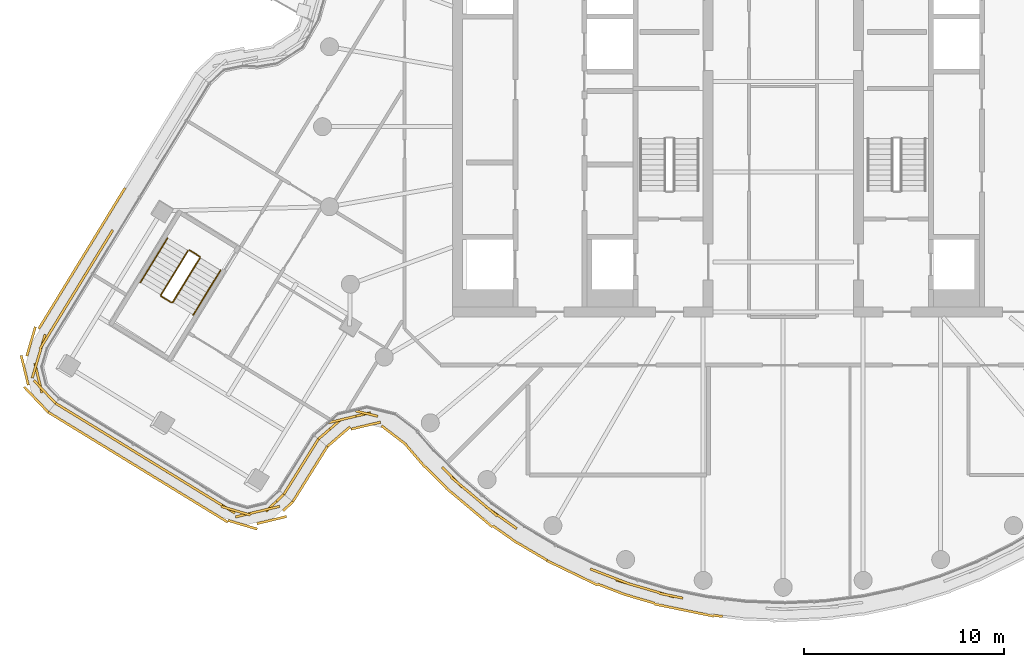
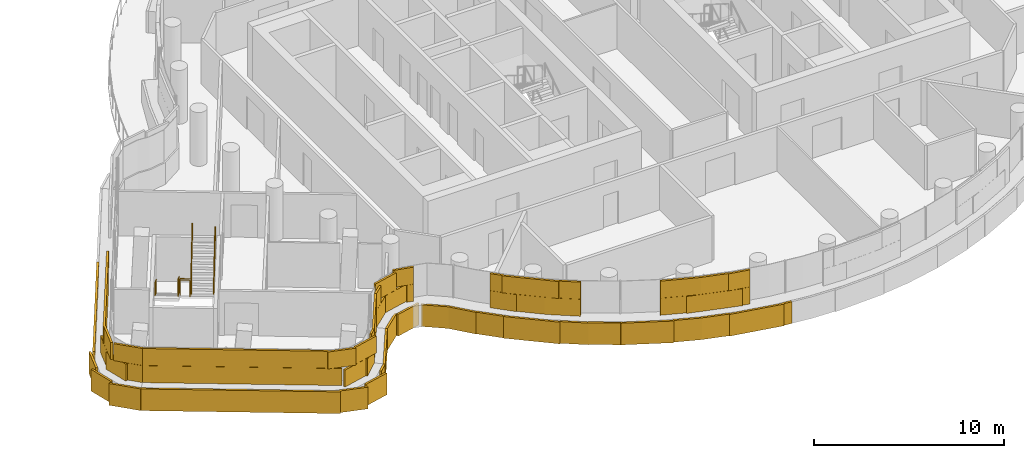
# One storey, part 22 of 27: 6 railings, 5 coverings.
"""IFC4 building model written with IfcOpenShell, lengths in metres."""

from ifc_helpers import new_model, si_unit, direction, frame, origin, origin_2d, place, context, subcontext, project, spatial, rectangle, circle, extrude, material, layer, layer_set, type_object, element, save


model = new_model("IFC4")

# Units and contexts
model_context = context("Model", 3, precision=1e-05, world=origin(), true_north=direction((0.0, 1.0)))
body_context = subcontext(model_context, "Body", "Model", "MODEL_VIEW")
ifc_project = project(units=[si_unit("LENGTHUNIT", "METRE"), si_unit("AREAUNIT", "SQUARE_METRE"), si_unit("VOLUMEUNIT", "CUBIC_METRE"), si_unit("PLANEANGLEUNIT", "RADIAN"), si_unit("MASSUNIT", "GRAM", prefix="KILO")], contexts=[model_context])

# Site, building, storey
site_placement = place(None, origin())
site = spatial("IfcSite", under=ifc_project, at=site_placement, CompositionType="ELEMENT")
building_placement = place(site_placement, origin())
building = spatial("IfcBuilding", under=site, at=building_placement, Name="Tamarind Cross Interchange Tower", CompositionType="ELEMENT")
storey_placement = place(building_placement, frame((0.0, 0.0, 245.10009765625)))
storey = spatial("IfcBuildingStorey", under=building, at=storey_placement, Name="L62", CompositionType="ELEMENT", Elevation=245.10009765625)

# Railings
ifc_material_1 = material(Name="Stair guard")
railing_type_1 = type_object("IfcRailingType", Name="Stair guard", PredefinedType="GUARDRAIL", material=ifc_material_1)
railing_1_placement = place(storey_placement, frame((-29.714599609375, -6.180419921875, 0.16357421875)))
element("IfcRailing", 1, at=railing_1_placement, inside=storey, type_object=railing_type_1, Name="L62 ST5 stair guard 1", PredefinedType="GUARDRAIL", context=body_context, shape_type="SweptSolid", body=[
    extrude(circle(Radius=0.02392578125, at=origin_2d()), frame((0.0, 0.0, 1.076171875), z_axis=(-0.44210938994, -0.721696093843, 0.532629360305), x_axis=(0.852717293901, -0.522372679878, 0.0)), (0.0, 0.0, 1.0), 3.072021484375),
    extrude(circle(Radius=0.02099609375, at=origin_2d()), origin(), (0.0, 0.0, 1.0), 1.052001953125),
    extrude(circle(Radius=0.02099609375, at=origin_2d()), frame((-0.45263671875, -0.739013671875, 0.54541015625)), (0.0, 0.0, 1.0), 1.052001953125),
    extrude(circle(Radius=0.02099609375, at=origin_2d()), frame((-0.905517578125, -1.47802734375, 1.0908203125)), (0.0, 0.0, 1.0), 1.052001953125),
    extrude(circle(Radius=0.02099609375, at=origin_2d()), frame((-1.358154296875, -2.217041015625, 1.63623046875)), (0.0, 0.0, 1.0), 1.052001953125),
])
railing_2_placement = place(storey_placement, frame((-31.05615234375, -8.46630859375, 1.7998046875)))
element("IfcRailing", 2, at=railing_2_placement, inside=storey, type_object=railing_type_1, Name="L62 ST5 stair guard 2", PredefinedType="GUARDRAIL", context=body_context, shape_type="SweptSolid", body=[
    extrude(circle(Radius=0.02392578125, at=origin_2d()), frame((0.0, 0.0, 1.076171875), z_axis=(0.852788407844, -0.52225657626, 0.0), x_axis=(0.52225657626, 0.852788407844, 0.0)), (0.0, 0.0, 1.0), 0.599853515625),
    extrude(circle(Radius=0.02099609375, at=origin_2d()), origin(), (0.0, 0.0, 1.0), 1.052001953125),
    extrude(circle(Radius=0.02099609375, at=origin_2d()), frame((0.511474609375, -0.313232421875, 0.0)), (0.0, 0.0, 1.0), 1.052001953125),
])
railing_3_placement = place(storey_placement, frame((-30.475830078125, -8.76318359375, 1.963623046875)))
element("IfcRailing", 3, at=railing_3_placement, inside=storey, type_object=railing_type_1, Name="L62 ST5 stair guard 3", PredefinedType="GUARDRAIL", context=body_context, shape_type="SweptSolid", body=[
    extrude(circle(Radius=0.02392578125, at=origin_2d()), frame((0.0, 0.0, 1.076171875), z_axis=(0.44210938994, 0.721696093843, 0.532629360305), x_axis=(-0.852717293901, 0.522372679878, 0.0)), (0.0, 0.0, 1.0), 3.072021484375),
    extrude(circle(Radius=0.02099609375, at=origin_2d()), origin(), (0.0, 0.0, 1.0), 1.052001953125),
    extrude(circle(Radius=0.02099609375, at=origin_2d()), frame((0.45263671875, 0.739013671875, 0.54541015625)), (0.0, 0.0, 1.0), 1.052001953125),
    extrude(circle(Radius=0.02099609375, at=origin_2d()), frame((0.905517578125, 1.47802734375, 1.0908203125)), (0.0, 0.0, 1.0), 1.052001953125),
    extrude(circle(Radius=0.02099609375, at=origin_2d()), frame((1.358154296875, 2.217041015625, 1.63623046875)), (0.0, 0.0, 1.0), 1.052001953125),
])
railing_4_placement = place(storey_placement, frame((-29.64599609375, -6.163818359375, 0.0)))
element("IfcRailing", 4, at=railing_4_placement, inside=storey, type_object=railing_type_1, Name="L62 ST5 stair guard 4", PredefinedType="GUARDRAIL", context=body_context, shape_type="SweptSolid", body=[
    extrude(circle(Radius=0.02392578125, at=origin_2d()), frame((0.0, 0.0, 1.076171875), z_axis=(0.852718171949, -0.522371246556, 0.0), x_axis=(0.522371246556, 0.852718171949, 0.0)), (0.0, 0.0, 1.0), 0.60009765625),
    extrude(circle(Radius=0.02099609375, at=origin_2d()), origin(), (0.0, 0.0, 1.0), 1.052001953125),
    extrude(circle(Radius=0.02099609375, at=origin_2d()), frame((0.51171875, -0.3134765625, 0.0)), (0.0, 0.0, 1.0), 1.052001953125),
])
ifc_material_2 = material(Name="Stair handrail")
railing_type_2 = type_object("IfcRailingType", Name="Stair handrail", PredefinedType="HANDRAIL", material=ifc_material_2)
railing_5_placement = place(storey_placement, frame((-30.73779296875, -5.553466796875, 0.16357421875)))
element("IfcRailing", 5, at=railing_5_placement, inside=storey, type_object=railing_type_2, Name="L62 ST5 stair handrail 1", PredefinedType="HANDRAIL", context=body_context, shape_type="SweptSolid", body=[
    extrude(circle(Radius=0.02392578125, at=origin_2d()), frame((0.0, 0.0, 0.8759765625), z_axis=(-0.44210938994, -0.721696093843, 0.532629360305), x_axis=(0.852717293901, -0.522372679878, 0.0)), (0.0, 0.0, 1.0), 3.072021484375),
    extrude(circle(Radius=0.02099609375, at=origin_2d()), origin(), (0.0, 0.0, 1.0), 0.851806640625),
    extrude(circle(Radius=0.02099609375, at=origin_2d()), frame((-0.45263671875, -0.739013671875, 0.54541015625)), (0.0, 0.0, 1.0), 0.851806640625),
    extrude(circle(Radius=0.02099609375, at=origin_2d()), frame((-0.905517578125, -1.47802734375, 1.0908203125)), (0.0, 0.0, 1.0), 0.851806640625),
    extrude(circle(Radius=0.02099609375, at=origin_2d()), frame((-1.358154296875, -2.217041015625, 1.63623046875)), (0.0, 0.0, 1.0), 0.851806640625),
])
railing_6_placement = place(storey_placement, frame((-29.45263671875, -9.389892578125, 1.963623046875)))
element("IfcRailing", 6, at=railing_6_placement, inside=storey, type_object=railing_type_2, Name="L62 ST5 stair handrail 2", PredefinedType="HANDRAIL", context=body_context, shape_type="SweptSolid", body=[
    extrude(circle(Radius=0.02392578125, at=origin_2d()), frame((0.0, 0.0, 0.8759765625), z_axis=(0.44210938994, 0.721696093843, 0.532629360305), x_axis=(-0.852717293901, 0.522372679878, 0.0)), (0.0, 0.0, 1.0), 3.072021484375),
    extrude(circle(Radius=0.02099609375, at=origin_2d()), origin(), (0.0, 0.0, 1.0), 0.851806640625),
    extrude(circle(Radius=0.02099609375, at=origin_2d()), frame((0.45263671875, 0.739013671875, 0.54541015625)), (0.0, 0.0, 1.0), 0.851806640625),
    extrude(circle(Radius=0.02099609375, at=origin_2d()), frame((0.905517578125, 1.47802734375, 1.0908203125)), (0.0, 0.0, 1.0), 0.851806640625),
    extrude(circle(Radius=0.02099609375, at=origin_2d()), frame((1.358154296875, 2.217041015625, 1.63623046875)), (0.0, 0.0, 1.0), 0.851806640625),
])

# Coverings
ifc_material_3 = material(Name="Terracotta", Category="masonry")
ifc_layer = layer(ifc_material_3, 0.1201171875)
ifc_layer_set = layer_set([ifc_layer], Name="Terracotta")
covering_type = type_object("IfcCoveringType", Name="Terracotta baguette screen unit", PredefinedType="MOLDING", material=ifc_layer_set)
covering_1_placement = place(storey_placement, origin())
element("IfcCovering", 7, at=covering_1_placement, inside=storey, type_object=covering_type, Name="SCR-L62-03-01", PredefinedType="MOLDING", context=body_context, shape_type="SweptSolid", body=[
    extrude(rectangle(XDim=1.52001953125, YDim=0.1201171875, at=origin_2d()), frame((-33.97119140625, -5.96923828125, 1.40380859375), z_axis=(0.0, 0.0, 1.0), x_axis=(-0.522367602426, -0.852720404316, 0.0)), (0.0, 0.0, 1.0), 1.092041015625),
    extrude(rectangle(XDim=1.52001953125, YDim=0.1201171875, at=origin_2d()), frame((-34.7548828125, -7.248291015625, 1.40380859375), z_axis=(0.0, 0.0, 1.0), x_axis=(-0.522367602426, -0.852720404316, 0.0)), (0.0, 0.0, 1.0), 1.092041015625),
    extrude(rectangle(XDim=1.52001953125, YDim=0.1201171875, at=origin_2d()), frame((-35.538330078125, -8.52734375, 1.40380859375), z_axis=(0.0, 0.0, 1.0), x_axis=(-0.522367602426, -0.852720404316, 0.0)), (0.0, 0.0, 1.0), 1.092041015625),
    extrude(rectangle(XDim=1.52001953125, YDim=0.1201171875, at=origin_2d()), frame((-36.322021484375, -9.806396484375, 1.40380859375), z_axis=(0.0, 0.0, 1.0), x_axis=(-0.522367602426, -0.852720404316, 0.0)), (0.0, 0.0, 1.0), 1.092041015625),
    extrude(rectangle(XDim=1.52001953125, YDim=0.1201171875, at=origin_2d()), frame((-37.066650390625, -11.102783203125, 1.40380859375), z_axis=(0.0, 0.0, 1.0), x_axis=(-0.283868077215, -0.958863345184, 0.0)), (0.0, 0.0, 1.0), 1.092041015625),
    extrude(rectangle(XDim=1.52001953125, YDim=0.1201171875, at=origin_2d()), frame((-37.18603515625, -12.549072265625, 1.40380859375), z_axis=(0.0, 0.0, 1.0), x_axis=(0.2335947064, -0.972334054295, 0.0)), (0.0, 0.0, 1.0), 1.092041015625),
    extrude(rectangle(XDim=0.82275390625, YDim=0.1201171875, at=origin_2d()), frame((-36.613525390625, -13.50927734375, 1.40380859375), z_axis=(0.0, 0.0, 1.0), x_axis=(0.68846597708, -0.725268638784, 0.0)), (0.0, 0.0, 1.0), 1.092041015625),
    extrude(rectangle(XDim=0.95556640625, YDim=0.1201171875, at=origin_2d()), frame((-33.724365234375, -5.566162109375, 2.50390625), z_axis=(0.0, 0.0, 1.0), x_axis=(-0.522367602426, -0.852720404316, 0.0)), (0.0, 0.0, 1.0), 1.092041015625),
    extrude(rectangle(XDim=1.52001953125, YDim=0.1201171875, at=origin_2d()), frame((-34.363037109375, -6.60888671875, 2.50390625), z_axis=(0.0, 0.0, 1.0), x_axis=(-0.522367602426, -0.852720404316, 0.0)), (0.0, 0.0, 1.0), 1.092041015625),
    extrude(rectangle(XDim=1.52001953125, YDim=0.1201171875, at=origin_2d()), frame((-35.146484375, -7.887939453125, 2.50390625), z_axis=(0.0, 0.0, 1.0), x_axis=(-0.522367602426, -0.852720404316, 0.0)), (0.0, 0.0, 1.0), 1.092041015625),
    extrude(rectangle(XDim=1.52001953125, YDim=0.1201171875, at=origin_2d()), frame((-35.93017578125, -9.1669921875, 2.50390625), z_axis=(0.0, 0.0, 1.0), x_axis=(-0.522367602426, -0.852720404316, 0.0)), (0.0, 0.0, 1.0), 1.092041015625),
    extrude(rectangle(XDim=1.52001953125, YDim=0.1201171875, at=origin_2d()), frame((-36.713623046875, -10.446044921875, 2.50390625), z_axis=(0.0, 0.0, 1.0), x_axis=(-0.522367602426, -0.852720404316, 0.0)), (0.0, 0.0, 1.0), 1.092041015625),
    extrude(rectangle(XDim=1.52001953125, YDim=0.1201171875, at=origin_2d()), frame((-37.279541015625, -11.822021484375, 2.50390625), z_axis=(0.0, 0.0, 1.0), x_axis=(-0.283868077215, -0.958863345184, 0.0)), (0.0, 0.0, 1.0), 1.092041015625),
    extrude(rectangle(XDim=1.52001953125, YDim=0.1201171875, at=origin_2d()), frame((-36.893310546875, -13.214599609375, 2.50390625), z_axis=(0.0, 0.0, 1.0), x_axis=(0.68846597708, -0.725268638784, 0.0)), (0.0, 0.0, 1.0), 1.092041015625),
    extrude(rectangle(XDim=0.07275390625, YDim=0.1201171875, at=origin_2d()), frame((-36.355224609375, -13.78125, 2.50390625), z_axis=(0.0, 0.0, 1.0), x_axis=(0.68846597708, -0.725268638784, 0.0)), (0.0, 0.0, 1.0), 1.092041015625),
    extrude(rectangle(XDim=0.739013671875, YDim=0.1201171875, at=origin_2d()), frame((-33.056396484375, -3.376953125, 0.00390625), z_axis=(0.0, 0.0, 1.0), x_axis=(-0.522367602426, -0.852720404316, 0.0)), (0.0, 0.0, 1.0), 1.39208984375),
    extrude(rectangle(XDim=1.52001953125, YDim=0.1201171875, at=origin_2d()), frame((-33.635986328125, -4.322998046875, 0.00390625), z_axis=(0.0, 0.0, 1.0), x_axis=(-0.522367602426, -0.852720404316, 0.0)), (0.0, 0.0, 1.0), 1.39208984375),
    extrude(rectangle(XDim=1.52001953125, YDim=0.1201171875, at=origin_2d()), frame((-34.41943359375, -5.60205078125, 0.00390625), z_axis=(0.0, 0.0, 1.0), x_axis=(-0.522367602426, -0.852720404316, 0.0)), (0.0, 0.0, 1.0), 1.39208984375),
    extrude(rectangle(XDim=1.52001953125, YDim=0.1201171875, at=origin_2d()), frame((-35.203125, -6.88134765625, 0.00390625), z_axis=(0.0, 0.0, 1.0), x_axis=(-0.522367602426, -0.852720404316, 0.0)), (0.0, 0.0, 1.0), 1.39208984375),
    extrude(rectangle(XDim=1.52001953125, YDim=0.1201171875, at=origin_2d()), frame((-35.986572265625, -8.160400390625, 0.00390625), z_axis=(0.0, 0.0, 1.0), x_axis=(-0.522367602426, -0.852720404316, 0.0)), (0.0, 0.0, 1.0), 1.39208984375),
    extrude(rectangle(XDim=1.52001953125, YDim=0.1201171875, at=origin_2d()), frame((-36.770263671875, -9.439453125, 0.00390625), z_axis=(0.0, 0.0, 1.0), x_axis=(-0.522367602426, -0.852720404316, 0.0)), (0.0, 0.0, 1.0), 1.39208984375),
    extrude(rectangle(XDim=1.52001953125, YDim=0.1201171875, at=origin_2d()), frame((-37.551513671875, -10.719482421875, 0.00390625), z_axis=(0.0, 0.0, 1.0), x_axis=(-0.283868077215, -0.958863345184, 0.0)), (0.0, 0.0, 1.0), 1.39208984375),
    extrude(rectangle(XDim=1.52001953125, YDim=0.1201171875, at=origin_2d()), frame((-37.86962890625, -12.160400390625, 0.00390625), z_axis=(0.0, 0.0, 1.0), x_axis=(0.2335947064, -0.972334054295, 0.0)), (0.0, 0.0, 1.0), 1.39208984375),
    extrude(rectangle(XDim=1.52001953125, YDim=0.1201171875, at=origin_2d()), frame((-37.375, -13.540771484375, 0.00390625), z_axis=(0.0, 0.0, 1.0), x_axis=(0.68846597708, -0.725268638784, 0.0)), (0.0, 0.0, 1.0), 1.39208984375),
    extrude(rectangle(XDim=0.24365234375, YDim=0.1201171875, at=origin_2d()), frame((-36.78173828125, -14.165771484375, 0.00390625), z_axis=(0.0, 0.0, 1.0), x_axis=(0.68846597708, -0.725268638784, 0.0)), (0.0, 0.0, 1.0), 1.39208984375),
])
covering_2_placement = place(storey_placement, origin())
element("IfcCovering", 8, at=covering_2_placement, inside=storey, type_object=covering_type, Name="SCR-L62-04-00", PredefinedType="MOLDING", context=body_context, shape_type="SweptSolid", body=[
    extrude(rectangle(XDim=1.510009765625, YDim=0.1201171875, at=origin_2d()), frame((-35.694091796875, -14.19580078125, 1.40380859375), z_axis=(0.0, 0.0, 1.0), x_axis=(0.852720404316, -0.522367602426, 0.0)), (0.0, 0.0, 1.0), 1.092041015625),
    extrude(rectangle(XDim=1.52001953125, YDim=0.1201171875, at=origin_2d()), frame((-34.4150390625, -14.979248046875, 1.40380859375), z_axis=(0.0, 0.0, 1.0), x_axis=(0.852720404316, -0.522367602426, 0.0)), (0.0, 0.0, 1.0), 1.092041015625),
    extrude(rectangle(XDim=1.52001953125, YDim=0.1201171875, at=origin_2d()), frame((-33.135986328125, -15.762939453125, 1.40380859375), z_axis=(0.0, 0.0, 1.0), x_axis=(0.852720404316, -0.522367602426, 0.0)), (0.0, 0.0, 1.0), 1.092041015625),
    extrude(rectangle(XDim=1.52001953125, YDim=0.1201171875, at=origin_2d()), frame((-31.85693359375, -16.54638671875, 1.40380859375), z_axis=(0.0, 0.0, 1.0), x_axis=(0.852720404316, -0.522367602426, 0.0)), (0.0, 0.0, 1.0), 1.092041015625),
    extrude(rectangle(XDim=1.52001953125, YDim=0.1201171875, at=origin_2d()), frame((-30.577880859375, -17.330078125, 1.40380859375), z_axis=(0.0, 0.0, 1.0), x_axis=(0.852720404316, -0.522367602426, 0.0)), (0.0, 0.0, 1.0), 1.092041015625),
    extrude(rectangle(XDim=1.52001953125, YDim=0.1201171875, at=origin_2d()), frame((-29.298828125, -18.113525390625, 1.40380859375), z_axis=(0.0, 0.0, 1.0), x_axis=(0.852720404316, -0.522367602426, 0.0)), (0.0, 0.0, 1.0), 1.092041015625),
    extrude(rectangle(XDim=1.52001953125, YDim=0.1201171875, at=origin_2d()), frame((-28.01953125, -18.897216796875, 1.40380859375), z_axis=(0.0, 0.0, 1.0), x_axis=(0.852720404316, -0.522367602426, 0.0)), (0.0, 0.0, 1.0), 1.092041015625),
    extrude(rectangle(XDim=1.52001953125, YDim=0.1201171875, at=origin_2d()), frame((-26.6083984375, -19.307861328125, 1.40380859375), z_axis=(0.0, 0.0, 1.0), x_axis=(0.972334054295, 0.2335947064, 0.0)), (0.0, 0.0, 1.0), 1.092041015625),
    extrude(rectangle(XDim=1.25927734375, YDim=0.1201171875, at=origin_2d()), frame((-25.3818359375, -18.783935546875, 1.40380859375), z_axis=(0.0, 0.0, 1.0), x_axis=(0.725268638784, 0.68846597708, 0.0)), (0.0, 0.0, 1.0), 1.092041015625),
    extrude(rectangle(XDim=0.760009765625, YDim=0.1201171875, at=origin_2d()), frame((-36.013916015625, -14.0, 2.50390625), z_axis=(0.0, 0.0, 1.0), x_axis=(0.852720404316, -0.522367602426, 0.0)), (0.0, 0.0, 1.0), 1.092041015625),
    extrude(rectangle(XDim=1.52001953125, YDim=0.1201171875, at=origin_2d()), frame((-35.0546875, -14.587646484375, 2.50390625), z_axis=(0.0, 0.0, 1.0), x_axis=(0.852720404316, -0.522367602426, 0.0)), (0.0, 0.0, 1.0), 1.092041015625),
    extrude(rectangle(XDim=1.52001953125, YDim=0.1201171875, at=origin_2d()), frame((-33.775634765625, -15.37109375, 2.50390625), z_axis=(0.0, 0.0, 1.0), x_axis=(0.852720404316, -0.522367602426, 0.0)), (0.0, 0.0, 1.0), 1.092041015625),
    extrude(rectangle(XDim=1.52001953125, YDim=0.1201171875, at=origin_2d()), frame((-32.496337890625, -16.15478515625, 2.50390625), z_axis=(0.0, 0.0, 1.0), x_axis=(0.852720404316, -0.522367602426, 0.0)), (0.0, 0.0, 1.0), 1.092041015625),
    extrude(rectangle(XDim=1.52001953125, YDim=0.1201171875, at=origin_2d()), frame((-31.21728515625, -16.938232421875, 2.50390625), z_axis=(0.0, 0.0, 1.0), x_axis=(0.852720404316, -0.522367602426, 0.0)), (0.0, 0.0, 1.0), 1.092041015625),
    extrude(rectangle(XDim=1.52001953125, YDim=0.1201171875, at=origin_2d()), frame((-29.938232421875, -17.7216796875, 2.50390625), z_axis=(0.0, 0.0, 1.0), x_axis=(0.852720404316, -0.522367602426, 0.0)), (0.0, 0.0, 1.0), 1.092041015625),
    extrude(rectangle(XDim=1.52001953125, YDim=0.1201171875, at=origin_2d()), frame((-28.6591796875, -18.50537109375, 2.50390625), z_axis=(0.0, 0.0, 1.0), x_axis=(0.852720404316, -0.522367602426, 0.0)), (0.0, 0.0, 1.0), 1.092041015625),
    extrude(rectangle(XDim=1.52001953125, YDim=0.1201171875, at=origin_2d()), frame((-27.32958984375, -19.17529296875, 2.50390625), z_axis=(0.0, 0.0, 1.0), x_axis=(0.958863345184, -0.283868077215, 0.0)), (0.0, 0.0, 1.0), 1.092041015625),
    extrude(rectangle(XDim=1.52001953125, YDim=0.1201171875, at=origin_2d()), frame((-25.879150390625, -19.1328125, 2.50390625), z_axis=(0.0, 0.0, 1.0), x_axis=(0.972334054295, 0.2335947064, 0.0)), (0.0, 0.0, 1.0), 1.092041015625),
    extrude(rectangle(XDim=0.50927734375, YDim=0.1201171875, at=origin_2d()), frame((-25.10986328125, -18.525634765625, 2.50390625), z_axis=(0.0, 0.0, 1.0), x_axis=(0.725268638784, 0.68846597708, 0.0)), (0.0, 0.0, 1.0), 1.092041015625),
    extrude(rectangle(XDim=1.510009765625, YDim=0.1201171875, at=origin_2d()), frame((-36.05419921875, -14.6484375, 0.00390625), z_axis=(0.0, 0.0, 1.0), x_axis=(0.852720404316, -0.522367602426, 0.0)), (0.0, 0.0, 1.0), 1.39208984375),
    extrude(rectangle(XDim=1.52001953125, YDim=0.1201171875, at=origin_2d()), frame((-34.779296875, -15.429443359375, 0.00390625), z_axis=(0.0, 0.0, 1.0), x_axis=(0.852720404316, -0.522367602426, 0.0)), (0.0, 0.0, 1.0), 1.39208984375),
    extrude(rectangle(XDim=1.52001953125, YDim=0.1201171875, at=origin_2d()), frame((-33.500244140625, -16.212890625, 0.00390625), z_axis=(0.0, 0.0, 1.0), x_axis=(0.852720404316, -0.522367602426, 0.0)), (0.0, 0.0, 1.0), 1.39208984375),
    extrude(rectangle(XDim=1.52001953125, YDim=0.1201171875, at=origin_2d()), frame((-32.22119140625, -16.996337890625, 0.00390625), z_axis=(0.0, 0.0, 1.0), x_axis=(0.852720404316, -0.522367602426, 0.0)), (0.0, 0.0, 1.0), 1.39208984375),
    extrude(rectangle(XDim=1.52001953125, YDim=0.1201171875, at=origin_2d()), frame((-30.942138671875, -17.780029296875, 0.00390625), z_axis=(0.0, 0.0, 1.0), x_axis=(0.852720404316, -0.522367602426, 0.0)), (0.0, 0.0, 1.0), 1.39208984375),
    extrude(rectangle(XDim=1.52001953125, YDim=0.1201171875, at=origin_2d()), frame((-29.6630859375, -18.5634765625, 0.00390625), z_axis=(0.0, 0.0, 1.0), x_axis=(0.852720404316, -0.522367602426, 0.0)), (0.0, 0.0, 1.0), 1.39208984375),
    extrude(rectangle(XDim=1.52001953125, YDim=0.1201171875, at=origin_2d()), frame((-28.384033203125, -19.34716796875, 0.00390625), z_axis=(0.0, 0.0, 1.0), x_axis=(0.852720404316, -0.522367602426, 0.0)), (0.0, 0.0, 1.0), 1.39208984375),
    extrude(rectangle(XDim=1.52001953125, YDim=0.1201171875, at=origin_2d()), frame((-26.99072265625, -19.874267578125, 0.00390625), z_axis=(0.0, 0.0, 1.0), x_axis=(0.958863345184, -0.283868077215, 0.0)), (0.0, 0.0, 1.0), 1.39208984375),
    extrude(rectangle(XDim=1.52001953125, YDim=0.1201171875, at=origin_2d()), frame((-25.53515625, -19.640380859375, 0.00390625), z_axis=(0.0, 0.0, 1.0), x_axis=(0.972334054295, 0.2335947064, 0.0)), (0.0, 0.0, 1.0), 1.39208984375),
    extrude(rectangle(XDim=0.67431640625, YDim=0.1201171875, at=origin_2d()), frame((-24.725341796875, -18.951904296875, 0.00390625), z_axis=(0.0, 0.0, 1.0), x_axis=(0.725268638784, 0.68846597708, 0.0)), (0.0, 0.0, 1.0), 1.39208984375),
])
covering_3_placement = place(storey_placement, origin())
element("IfcCovering", 9, at=covering_3_placement, inside=storey, type_object=covering_type, Name="SCR-L62-05-00", PredefinedType="MOLDING", context=body_context, shape_type="SweptSolid", body=[
    extrude(rectangle(XDim=1.510009765625, YDim=0.1201171875, at=origin_2d()), frame((-24.53173828125, -17.717529296875, 1.40380859375), z_axis=(0.0, 0.0, 1.0), x_axis=(0.529593099548, 0.84825181928, 0.0)), (0.0, 0.0, 1.0), 1.092041015625),
    extrude(rectangle(XDim=1.52001953125, YDim=0.1201171875, at=origin_2d()), frame((-23.7373046875, -16.4453125, 1.40380859375), z_axis=(0.0, 0.0, 1.0), x_axis=(0.529593099548, 0.84825181928, 0.0)), (0.0, 0.0, 1.0), 1.092041015625),
    extrude(rectangle(XDim=0.263427734375, YDim=0.1201171875, at=origin_2d()), frame((-23.27294921875, -15.70166015625, 1.40380859375), z_axis=(0.0, 0.0, 1.0), x_axis=(0.529593099548, 0.84825181928, 0.0)), (0.0, 0.0, 1.0), 1.092041015625),
    extrude(rectangle(XDim=0.760009765625, YDim=0.1201171875, at=origin_2d()), frame((-24.730224609375, -18.03564453125, 2.50390625), z_axis=(0.0, 0.0, 1.0), x_axis=(0.529593099548, 0.84825181928, 0.0)), (0.0, 0.0, 1.0), 1.092041015625),
    extrude(rectangle(XDim=1.52001953125, YDim=0.1201171875, at=origin_2d()), frame((-24.134521484375, -17.08154296875, 2.50390625), z_axis=(0.0, 0.0, 1.0), x_axis=(0.529593099548, 0.84825181928, 0.0)), (0.0, 0.0, 1.0), 1.092041015625),
    extrude(rectangle(XDim=1.013427734375, YDim=0.1201171875, at=origin_2d()), frame((-23.4716796875, -16.01953125, 2.50390625), z_axis=(0.0, 0.0, 1.0), x_axis=(0.529593099548, 0.84825181928, 0.0)), (0.0, 0.0, 1.0), 1.092041015625),
    extrude(rectangle(XDim=1.510009765625, YDim=0.1201171875, at=origin_2d()), frame((-24.080810546875, -18.079345703125, 0.00390625), z_axis=(0.0, 0.0, 1.0), x_axis=(0.529593099548, 0.84825181928, 0.0)), (0.0, 0.0, 1.0), 1.39208984375),
    extrude(rectangle(XDim=1.52001953125, YDim=0.1201171875, at=origin_2d()), frame((-23.2890625, -16.811279296875, 0.00390625), z_axis=(0.0, 0.0, 1.0), x_axis=(0.529593099548, 0.84825181928, 0.0)), (0.0, 0.0, 1.0), 1.39208984375),
    extrude(rectangle(XDim=0.25, YDim=0.1201171875, at=origin_2d()), frame((-22.8310546875, -16.07763671875, 0.00390625), z_axis=(0.0, 0.0, 1.0), x_axis=(0.529593099548, 0.84825181928, 0.0)), (0.0, 0.0, 1.0), 1.39208984375),
])
covering_4_placement = place(storey_placement, origin())
element("IfcCovering", 10, at=covering_4_placement, inside=storey, type_object=covering_type, Name="SCR-L62-06-00", PredefinedType="MOLDING", context=body_context, shape_type="SweptSolid", body=[
    extrude(rectangle(XDim=1.510009765625, YDim=0.1201171875, at=origin_2d()), frame((-22.638671875, -15.103515625, 1.40380859375), z_axis=(0.0, 0.0, 1.0), x_axis=(0.756383384042, 0.654128562551, 0.0)), (0.0, 0.0, 1.0), 1.092041015625),
    extrude(rectangle(XDim=1.52001953125, YDim=0.1201171875, at=origin_2d()), frame((-21.334228515625, -14.453125, 1.40380859375), z_axis=(0.0, 0.0, 1.0), x_axis=(0.972625076264, 0.232379992731, 0.0)), (0.0, 0.0, 1.0), 1.092041015625),
    extrude(rectangle(XDim=0.37841796875, YDim=0.1201171875, at=origin_2d()), frame((-20.426025390625, -14.414306640625, 1.40380859375), z_axis=(0.0, 0.0, 1.0), x_axis=(0.971861687209, -0.23555224672, 0.0)), (0.0, 0.0, 1.0), 1.092041015625),
    extrude(rectangle(XDim=1.44140625, YDim=0.1201171875, at=origin_2d()), frame((-16.524169921875, -17.505615234375, 1.40380859375), z_axis=(0.0, 0.0, 1.0), x_axis=(0.710143317658, -0.704057148523, 0.0)), (0.0, 0.0, 1.0), 1.092041015625),
    extrude(rectangle(XDim=1.52001953125, YDim=0.1201171875, at=origin_2d()), frame((-15.42431640625, -18.47265625, 1.40380859375), z_axis=(0.0, 0.0, 1.0), x_axis=(0.765858396687, -0.643009266048, 0.0)), (0.0, 0.0, 1.0), 1.092041015625),
    extrude(rectangle(XDim=1.52001953125, YDim=0.1201171875, at=origin_2d()), frame((-14.24658203125, -19.39990234375, 1.40380859375), z_axis=(0.0, 0.0, 1.0), x_axis=(0.816341886298, -0.577568978284, 0.0)), (0.0, 0.0, 1.0), 1.092041015625),
    extrude(rectangle(XDim=0.41162109375, YDim=0.1201171875, at=origin_2d()), frame((-13.470458984375, -19.94921875, 1.40380859375), z_axis=(0.0, 0.0, 1.0), x_axis=(0.816341886298, -0.577568978284, 0.0)), (0.0, 0.0, 1.0), 1.092041015625),
    extrude(rectangle(XDim=0.760009765625, YDim=0.1201171875, at=origin_2d()), frame((-22.922119140625, -15.3486328125, 2.50390625), z_axis=(0.0, 0.0, 1.0), x_axis=(0.756383384042, 0.654128562551, 0.0)), (0.0, 0.0, 1.0), 1.092041015625),
    extrude(rectangle(XDim=1.52001953125, YDim=0.1201171875, at=origin_2d()), frame((-22.063720703125, -14.62744140625, 2.50390625), z_axis=(0.0, 0.0, 1.0), x_axis=(0.972625076264, 0.232379992731, 0.0)), (0.0, 0.0, 1.0), 1.092041015625),
    extrude(rectangle(XDim=1.12841796875, YDim=0.1201171875, at=origin_2d()), frame((-20.790283203125, -14.325927734375, 2.50390625), z_axis=(0.0, 0.0, 1.0), x_axis=(0.971861687209, -0.23555224672, 0.0)), (0.0, 0.0, 1.0), 1.092041015625),
    extrude(rectangle(XDim=0.69140625, YDim=0.1201171875, at=origin_2d()), frame((-16.79052734375, -17.241455078125, 2.50390625), z_axis=(0.0, 0.0, 1.0), x_axis=(0.710143317658, -0.704057148523, 0.0)), (0.0, 0.0, 1.0), 1.092041015625),
    extrude(rectangle(XDim=1.52001953125, YDim=0.1201171875, at=origin_2d()), frame((-15.99853515625, -17.990478515625, 2.50390625), z_axis=(0.0, 0.0, 1.0), x_axis=(0.765858396687, -0.643009266048, 0.0)), (0.0, 0.0, 1.0), 1.092041015625),
    extrude(rectangle(XDim=1.52001953125, YDim=0.1201171875, at=origin_2d()), frame((-14.849853515625, -18.955078125, 2.50390625), z_axis=(0.0, 0.0, 1.0), x_axis=(0.765858396687, -0.643009266048, 0.0)), (0.0, 0.0, 1.0), 1.092041015625),
    extrude(rectangle(XDim=1.16162109375, YDim=0.1201171875, at=origin_2d()), frame((-13.776611328125, -19.732666015625, 2.50390625), z_axis=(0.0, 0.0, 1.0), x_axis=(0.816341886298, -0.577568978284, 0.0)), (0.0, 0.0, 1.0), 1.092041015625),
    extrude(rectangle(XDim=1.510009765625, YDim=0.1201171875, at=origin_2d()), frame((-22.19384765625, -15.4775390625, 0.00390625), z_axis=(0.0, 0.0, 1.0), x_axis=(0.756383384042, 0.654128562551, 0.0)), (0.0, 0.0, 1.0), 1.39208984375),
    extrude(rectangle(XDim=1.52001953125, YDim=0.1201171875, at=origin_2d()), frame((-20.84423828125, -14.92626953125, 0.00390625), z_axis=(0.0, 0.0, 1.0), x_axis=(0.972625076264, 0.232379992731, 0.0)), (0.0, 0.0, 1.0), 1.39208984375),
    extrude(rectangle(XDim=1.52001953125, YDim=0.1201171875, at=origin_2d()), frame((-19.4521484375, -15.394287109375, 0.00390625), z_axis=(0.0, 0.0, 1.0), x_axis=(0.793963090259, -0.607965962293, 0.0)), (0.0, 0.0, 1.0), 1.39208984375),
    extrude(rectangle(XDim=1.52001953125, YDim=0.1201171875, at=origin_2d()), frame((-18.374755859375, -16.42626953125, 0.00390625), z_axis=(0.0, 0.0, 1.0), x_axis=(0.651272542534, -0.758843907099, 0.0)), (0.0, 0.0, 1.0), 1.39208984375),
    extrude(rectangle(XDim=1.52001953125, YDim=0.1201171875, at=origin_2d()), frame((-17.337158203125, -17.508056640625, 0.00390625), z_axis=(0.0, 0.0, 1.0), x_axis=(0.710143317658, -0.704057148523, 0.0)), (0.0, 0.0, 1.0), 1.39208984375),
    extrude(rectangle(XDim=1.52001953125, YDim=0.1201171875, at=origin_2d()), frame((-16.244140625, -18.53369140625, 0.00390625), z_axis=(0.0, 0.0, 1.0), x_axis=(0.765858396687, -0.643009266048, 0.0)), (0.0, 0.0, 1.0), 1.39208984375),
    extrude(rectangle(XDim=1.52001953125, YDim=0.1201171875, at=origin_2d()), frame((-15.095458984375, -19.498291015625, 0.00390625), z_axis=(0.0, 0.0, 1.0), x_axis=(0.765858396687, -0.643009266048, 0.0)), (0.0, 0.0, 1.0), 1.39208984375),
    extrude(rectangle(XDim=1.52001953125, YDim=0.1201171875, at=origin_2d()), frame((-13.873046875, -20.367431640625, 0.00390625), z_axis=(0.0, 0.0, 1.0), x_axis=(0.816341886298, -0.577568978284, 0.0)), (0.0, 0.0, 1.0), 1.39208984375),
    extrude(rectangle(XDim=1.52001953125, YDim=0.1201171875, at=origin_2d()), frame((-12.607177734375, -21.169921875, 0.00390625), z_axis=(0.0, 0.0, 1.0), x_axis=(0.861248933065, -0.508183308752, 0.0)), (0.0, 0.0, 1.0), 1.39208984375),
    extrude(rectangle(XDim=0.21533203125, YDim=0.1201171875, at=origin_2d()), frame((-11.877197265625, -21.600830078125, 0.00390625), z_axis=(0.0, 0.0, 1.0), x_axis=(0.861248933065, -0.508183308752, 0.0)), (0.0, 0.0, 1.0), 1.39208984375),
])
covering_5_placement = place(storey_placement, origin())
element("IfcCovering", 11, at=covering_5_placement, inside=storey, type_object=covering_type, Name="SCR-L62-06-01", PredefinedType="MOLDING", context=body_context, shape_type="SweptSolid", body=[
    extrude(rectangle(XDim=1.408447265625, YDim=0.1201171875, at=origin_2d()), frame((-8.974853515625, -22.33203125, 1.40380859375), z_axis=(0.0, 0.0, 1.0), x_axis=(0.933146843667, -0.359495435512, 0.0)), (0.0, 0.0, 1.0), 1.092041015625),
    extrude(rectangle(XDim=1.52001953125, YDim=0.1201171875, at=origin_2d()), frame((-7.61962890625, -22.844482421875, 1.40380859375), z_axis=(0.0, 0.0, 1.0), x_axis=(0.95964657186, -0.281208920763, 0.0)), (0.0, 0.0, 1.0), 1.092041015625),
    extrude(rectangle(XDim=1.52001953125, YDim=0.1201171875, at=origin_2d()), frame((-6.18017578125, -23.266357421875, 1.40380859375), z_axis=(0.0, 0.0, 1.0), x_axis=(0.95964657186, -0.281208920763, 0.0)), (0.0, 0.0, 1.0), 1.092041015625),
    extrude(rectangle(XDim=0.454345703125, YDim=0.1201171875, at=origin_2d()), frame((-5.235595703125, -23.49267578125, 1.40380859375), z_axis=(0.0, 0.0, 1.0), x_axis=(0.9795909409, -0.201001463943, 0.0)), (0.0, 0.0, 1.0), 1.092041015625),
    extrude(rectangle(XDim=0.658447265625, YDim=0.1201171875, at=origin_2d()), frame((-9.32470703125, -22.197265625, 2.50390625), z_axis=(0.0, 0.0, 1.0), x_axis=(0.933146843667, -0.359495435512, 0.0)), (0.0, 0.0, 1.0), 1.092041015625),
    extrude(rectangle(XDim=1.52001953125, YDim=0.1201171875, at=origin_2d()), frame((-8.322509765625, -22.583251953125, 2.50390625), z_axis=(0.0, 0.0, 1.0), x_axis=(0.933146843667, -0.359495435512, 0.0)), (0.0, 0.0, 1.0), 1.092041015625),
    extrude(rectangle(XDim=1.52001953125, YDim=0.1201171875, at=origin_2d()), frame((-6.89990234375, -23.055419921875, 2.50390625), z_axis=(0.0, 0.0, 1.0), x_axis=(0.95964657186, -0.281208920763, 0.0)), (0.0, 0.0, 1.0), 1.092041015625),
    extrude(rectangle(XDim=1.204345703125, YDim=0.1201171875, at=origin_2d()), frame((-5.60302734375, -23.417236328125, 2.50390625), z_axis=(0.0, 0.0, 1.0), x_axis=(0.9795909409, -0.201001463943, 0.0)), (0.0, 0.0, 1.0), 1.092041015625),
    extrude(rectangle(XDim=1.3046875, YDim=0.1201171875, at=origin_2d()), frame((-11.20361328125, -21.951416015625, 0.00390625), z_axis=(0.0, 0.0, 1.0), x_axis=(0.900272776334, -0.435326231914, 0.0)), (0.0, 0.0, 1.0), 1.39208984375),
    extrude(rectangle(XDim=1.52001953125, YDim=0.1201171875, at=origin_2d()), frame((-9.9501953125, -22.5576171875, 0.00390625), z_axis=(0.0, 0.0, 1.0), x_axis=(0.900272776334, -0.435326231914, 0.0)), (0.0, 0.0, 1.0), 1.39208984375),
    extrude(rectangle(XDim=1.52001953125, YDim=0.1201171875, at=origin_2d()), frame((-8.5556640625, -23.108642578125, 0.00390625), z_axis=(0.0, 0.0, 1.0), x_axis=(0.933146843667, -0.359495435512, 0.0)), (0.0, 0.0, 1.0), 1.39208984375),
    extrude(rectangle(XDim=1.52001953125, YDim=0.1201171875, at=origin_2d()), frame((-7.134521484375, -23.5849609375, 0.00390625), z_axis=(0.0, 0.0, 1.0), x_axis=(0.95964657186, -0.281208920763, 0.0)), (0.0, 0.0, 1.0), 1.39208984375),
    extrude(rectangle(XDim=1.52001953125, YDim=0.1201171875, at=origin_2d()), frame((-5.689697265625, -23.9853515625, 0.00390625), z_axis=(0.0, 0.0, 1.0), x_axis=(0.9795909409, -0.201001463943, 0.0)), (0.0, 0.0, 1.0), 1.39208984375),
    extrude(rectangle(XDim=1.52001953125, YDim=0.1201171875, at=origin_2d()), frame((-4.220458984375, -24.286865234375, 0.00390625), z_axis=(0.0, 0.0, 1.0), x_axis=(0.9795909409, -0.201001463943, 0.0)), (0.0, 0.0, 1.0), 1.39208984375),
    extrude(rectangle(XDim=0.4736328125, YDim=0.1201171875, at=origin_2d()), frame((-3.254150390625, -24.425537109375, 0.00390625), z_axis=(0.0, 0.0, 1.0), x_axis=(0.992843710523, -0.119420963295, 0.0)), (0.0, 0.0, 1.0), 1.39208984375),
])

save(model, "model.ifc")
